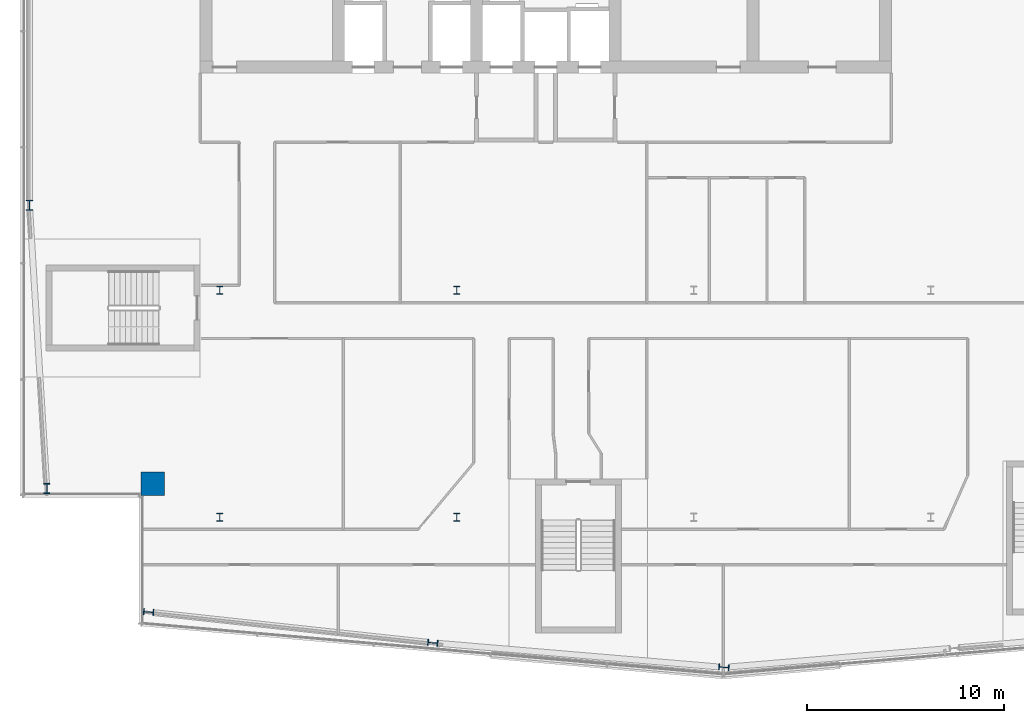
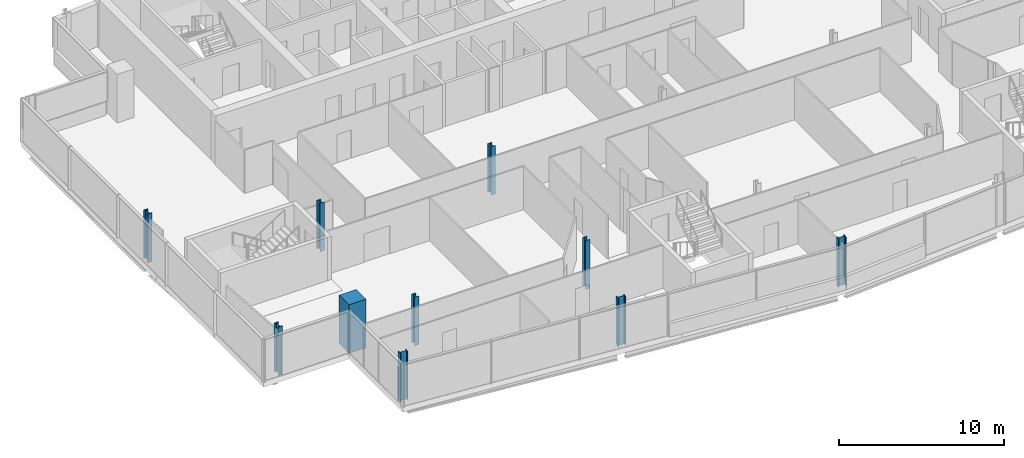
# One storey, part 1 of 22: 10 columns.
"""IFC4 building model written with IfcOpenShell, lengths in metres."""

from ifc_helpers import new_model, si_unit, direction, frame, origin, origin_2d, place, context, subcontext, project, spatial, rectangle, i_section, extrude, material, material_profile, profile_set, type_object, element, save


model = new_model("IFC4")

# Units and contexts
model_context = context("Model", 3, precision=1e-05, world=origin(), true_north=direction((0.0, 1.0)))
body_context = subcontext(model_context, "Body", "Model", "MODEL_VIEW")
ifc_project = project(units=[si_unit("LENGTHUNIT", "METRE"), si_unit("AREAUNIT", "SQUARE_METRE"), si_unit("VOLUMEUNIT", "CUBIC_METRE"), si_unit("PLANEANGLEUNIT", "RADIAN"), si_unit("MASSUNIT", "GRAM", prefix="KILO")], contexts=[model_context])

# Site, building, storey
site_placement = place(None, origin())
site = spatial("IfcSite", under=ifc_project, at=site_placement, CompositionType="ELEMENT")
building_placement = place(site_placement, origin())
building = spatial("IfcBuilding", under=site, at=building_placement, Name="Wharfspan Tower", CompositionType="ELEMENT")
storey_placement = place(building_placement, frame((0.0, 0.0, 246.699951)))
storey = spatial("IfcBuildingStorey", under=building, at=storey_placement, Name="L62", CompositionType="ELEMENT", Elevation=246.699951)

# Columns
ifc_material_1 = material(Name="Steel S355J2", Category="steel")
ifc_material_profile_1 = material_profile(ifc_material_1, i_section(OverallWidth=0.300049, OverallDepth=0.399902, WebThickness=0.013428, FlangeThickness=0.023926, FilletRadius=0.0271, at=origin_2d()))
ifc_profile_set_1 = profile_set([ifc_material_profile_1], Name="Steel S355J2")
column_type_1 = type_object("IfcColumnType", Name="Column HEB 400", PredefinedType="COLUMN", material=ifc_profile_set_1)
for number, where, z_axis, x_axis, name in (
    (1, (24.0, 11.5, 0.0), (0.0, 0.0, 1.0), (1.0, 0.0, 0.0), "Interior column I.1.1 L62"),
    (2, (36.0, 11.5, 0.0), (0.0, 0.0, 1.0), (1.0, 0.0, 0.0), "Interior column I.1.2 L62"),
    (3, (24.0, 23.0, 0.0), (0.0, 0.0, 1.0), (1.0, 0.0, 0.0), "Interior column I.2.1 L62"),
    (4, (36.0, 23.0, 0.0), (0.0, 0.0, 1.0), (1.0, 0.0, 0.0), "Interior column I.2.2 L62"),
):
    element("IfcColumn", number, at=place(storey_placement, frame(where, z_axis=z_axis, x_axis=x_axis)), inside=storey, type_object=column_type_1, Name=name, PredefinedType="COLUMN", context=body_context, shape_type="SweptSolid", body=[
        extrude(i_section(OverallWidth=0.300049, OverallDepth=0.399902, WebThickness=0.013428, FlangeThickness=0.023926, FilletRadius=0.0271, at=origin_2d()), origin(), (0.0, 0.0, 1.0), 3.600098),
    ])
ifc_material_profile_2 = material_profile(ifc_material_1, i_section(OverallWidth=0.305908, OverallDepth=0.523926, WebThickness=0.020996, FlangeThickness=0.040039, FilletRadius=0.0271, at=origin_2d()))
ifc_profile_set_2 = profile_set([ifc_material_profile_2], Name="Steel S355J2")
column_type_2 = type_object("IfcColumnType", Name="Column HEM 500", PredefinedType="COLUMN", material=ifc_profile_set_2)
for number, where, z_axis, x_axis, name in (
    (5, (20.392334, 6.702637, 0.0), (0.0, 0.0, 1.0), (-0.087156, -0.996197, 0.0), "Perimeter column PS1.1 L62"),
    (6, (34.781494, 5.143311, 0.0), (0.0, 0.0, 1.0), (-0.087156, -0.996197, 0.0), "Perimeter column PS1.2 L62"),
    (7, (49.522949, 3.9021, 0.0), (0.0, 0.0, 1.0), (-0.087156, -0.996197, 0.0), "Perimeter column PS1.3 L62"),
    (8, (14.360107, 27.300049, 0.0), (0.0, 0.0, 1.0), (-1.0, 0.0, 0.0), "Perimeter column PW.1 L62"),
    (9, (15.237793, 12.963379, 0.0), (0.0, 0.0, 1.0), (-1.0, 0.0, 0.0), "Perimeter column PW.2 L62"),
):
    element("IfcColumn", number, at=place(storey_placement, frame(where, z_axis=z_axis, x_axis=x_axis)), inside=storey, type_object=column_type_2, Name=name, PredefinedType="COLUMN", context=body_context, shape_type="SweptSolid", body=[
        extrude(i_section(OverallWidth=0.305908, OverallDepth=0.523926, WebThickness=0.020996, FlangeThickness=0.040039, FilletRadius=0.0271, at=origin_2d()), origin(), (0.0, 0.0, 1.0), 3.600098),
    ])
ifc_material_2 = material(Name="Concrete C50/60", Category="concrete")
ifc_material_profile_3 = material_profile(ifc_material_2, rectangle(XDim=1.199951, YDim=1.199951, at=origin_2d()))
ifc_profile_set_3 = profile_set([ifc_material_profile_3], Name="Concrete C50/60")
column_type_3 = type_object("IfcColumnType", Name="Mega column 1200 C50/60", PredefinedType="COLUMN", material=ifc_profile_set_3)
column_placement = place(storey_placement, frame((20.600098, 13.199951, 0.0), z_axis=(0.0, 0.0, 1.0), x_axis=(1.0, 0.0, 0.0)))
element("IfcColumn", 10, at=column_placement, inside=storey, type_object=column_type_3, Name="Mega column MC1 L62", PredefinedType="COLUMN", context=body_context, shape_type="SweptSolid", body=[
    extrude(rectangle(XDim=1.199951, YDim=1.199951, at=origin_2d()), origin(), (0.0, 0.0, 1.0), 3.600098),
])

save(model, "model.ifc")
